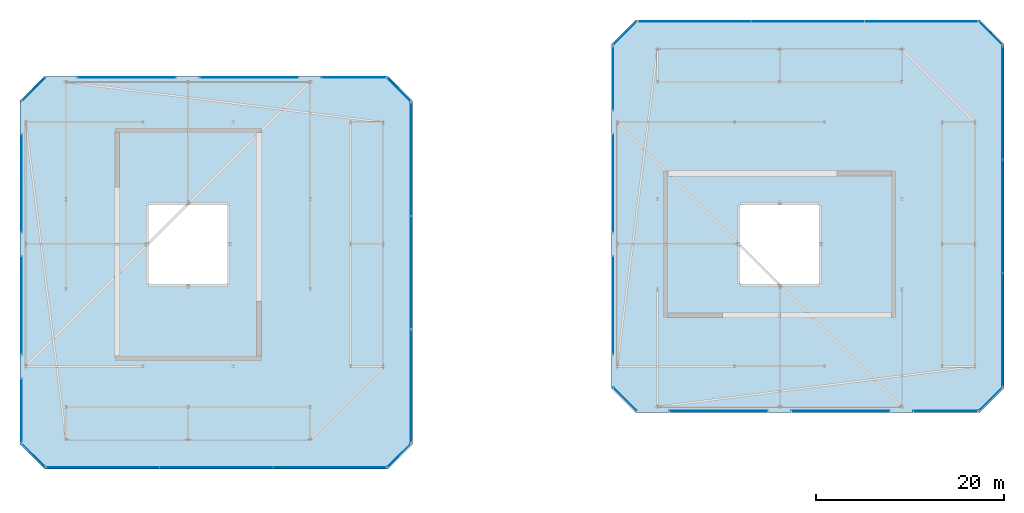
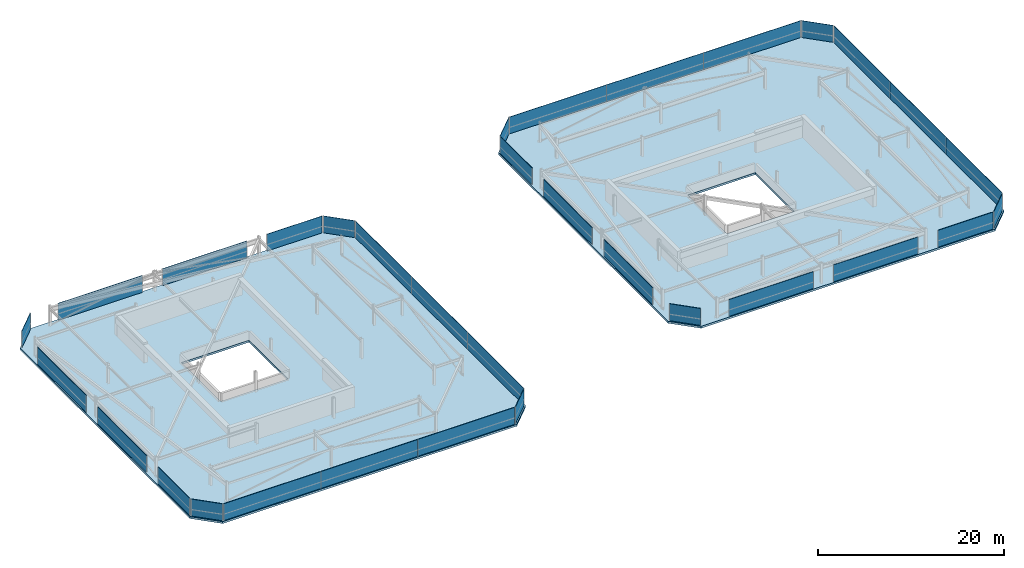
# One storey, part 39 of 44: 32 plates, 2 slabs, 24 elements without a shape of their own.
"""IFC4 building model written with IfcOpenShell, lengths in metres."""

from ifc_helpers import new_model, si_unit, direction, frame, origin, origin_2d, place, context, subcontext, project, spatial, polyline, rectangle, outline, extrude, material, layer, layer_set, type_object, element, aggregate, save


model = new_model("IFC4")

# Units and contexts
model_context = context("Model", 3, precision=1e-05, world=origin(), true_north=direction((0.0, 1.0)))
body_context = subcontext(model_context, "Body", "Model", "MODEL_VIEW")
ifc_project = project(units=[si_unit("LENGTHUNIT", "METRE"), si_unit("AREAUNIT", "SQUARE_METRE"), si_unit("VOLUMEUNIT", "CUBIC_METRE"), si_unit("PLANEANGLEUNIT", "RADIAN"), si_unit("MASSUNIT", "GRAM", prefix="KILO")], contexts=[model_context])

# Site, building, storey
site_placement = place(None, origin())
site = spatial("IfcSite", under=ifc_project, at=site_placement, CompositionType="ELEMENT")
building_placement = place(site_placement, origin())
building = spatial("IfcBuilding", under=site, at=building_placement, Name="Thornwick Lancets Civic Towers", CompositionType="ELEMENT")
storey_placement = place(building_placement, frame((0.0, 0.0, 294.89990234375)))
storey = spatial("IfcBuildingStorey", under=building, at=storey_placement, Name="C06", CompositionType="ELEMENT", Elevation=294.89990234375)

# Curtain wall, plates
ifc_material_1 = material(Name="Crown ring acoustic-louvre and glazing screen wall", Category="glass")
curtain_wall_type = type_object("IfcCurtainWallType", Name="CW_SYS_07", PredefinedType="NOTDEFINED", material=ifc_material_1)
curtain_wall_1_placement = place(storey_placement, origin())
curtain_wall_1 = element("IfcCurtainWall", 1, at=curtain_wall_1_placement, inside=storey, type_object=curtain_wall_type, Name="C06 Curtain Wall CW-C06-A-E0", PredefinedType="NOTDEFINED")
ifc_material_2 = material(Name="Terracotta acoustic louvre screen", Category="masonry")
ifc_layer_1 = layer(ifc_material_2, 0.050048828125, Name="Terracotta acoustic louvre screen")
ifc_layer_set_1 = layer_set([ifc_layer_1], Name="Terracotta acoustic louvre screen")
plate_type = type_object("IfcPlateType", Name="CW_PNL_LOUVRE", PredefinedType="SHEET", material=ifc_layer_set_1)
plate_1_placement = place(storey_placement, frame((16.432373046875, 3.2353515625, 0.0), z_axis=(0.0, 0.0, 1.0), x_axis=(1.0, 0.0, 0.0)))
plate_1 = element("IfcPlate", 2, at=plate_1_placement, type_object=plate_type, Name="CW-C06-A-E0 Panel 0", PredefinedType="SHEET", context=body_context, shape_type="SweptSolid", body=[
    extrude(rectangle(XDim=12.063720703125, YDim=0.050048828125, at=origin_2d()), origin(), (0.0, 0.0, 1.0), 2.219970703125),
])
plate_2_placement = place(storey_placement, frame((28.5, 3.2353515625, 0.0), z_axis=(0.0, 0.0, 1.0), x_axis=(1.0, 0.0, 0.0)))
plate_2 = element("IfcPlate", 3, at=plate_2_placement, type_object=plate_type, Name="CW-C06-A-E0 Panel 1", PredefinedType="SHEET", context=body_context, shape_type="SweptSolid", body=[
    extrude(rectangle(XDim=12.063720703125, YDim=0.050048828125, at=origin_2d()), origin(), (0.0, 0.0, 1.0), 2.219970703125),
])
plate_3_placement = place(storey_placement, frame((40.567626953125, 3.2353515625, 0.0), z_axis=(0.0, 0.0, 1.0), x_axis=(1.0, 0.0, 0.0)))
plate_3 = element("IfcPlate", 4, at=plate_3_placement, type_object=plate_type, Name="CW-C06-A-E0 Panel 2", PredefinedType="SHEET", context=body_context, shape_type="SweptSolid", body=[
    extrude(rectangle(XDim=12.063720703125, YDim=0.050048828125, at=origin_2d()), origin(), (0.0, 0.0, 1.0), 2.219970703125),
])
aggregate(curtain_wall_1, [plate_1, plate_2, plate_3])

# Curtain wall, plate
curtain_wall_2_placement = place(storey_placement, origin())
curtain_wall_2 = element("IfcCurtainWall", 5, at=curtain_wall_2_placement, inside=storey, type_object=curtain_wall_type, Name="C06 Curtain Wall CW-C06-A-E1", PredefinedType="NOTDEFINED")
plate_4_placement = place(storey_placement, frame((47.972900390625, 4.527099609375, 0.0), z_axis=(0.0, 0.0, 1.0), x_axis=(0.707106781187, 0.707106781187, 0.0)))
plate_4 = element("IfcPlate", 6, at=plate_4_placement, type_object=plate_type, Name="CW-C06-A-E1 Panel 0", PredefinedType="SHEET", context=body_context, shape_type="SweptSolid", body=[
    extrude(rectangle(XDim=3.4892578125, YDim=0.050048828125, at=origin_2d()), origin(), (0.0, 0.0, 1.0), 2.219970703125),
])
aggregate(curtain_wall_2, [plate_4])

# Curtain wall, plates
curtain_wall_3_placement = place(storey_placement, origin())
curtain_wall_3 = element("IfcCurtainWall", 7, at=curtain_wall_3_placement, inside=storey, type_object=curtain_wall_type, Name="C06 Curtain Wall CW-C06-A-E2", PredefinedType="NOTDEFINED")
plate_5_placement = place(storey_placement, frame((49.2646484375, 11.932373046875, 0.0), z_axis=(0.0, 0.0, 1.0), x_axis=(0.0, 1.0, 0.0)))
plate_5 = element("IfcPlate", 8, at=plate_5_placement, type_object=plate_type, Name="CW-C06-A-E2 Panel 0", PredefinedType="SHEET", context=body_context, shape_type="SweptSolid", body=[
    extrude(rectangle(XDim=12.063720703125, YDim=0.050048828125, at=origin_2d()), origin(), (0.0, 0.0, 1.0), 2.219970703125),
])
plate_6_placement = place(storey_placement, frame((49.2646484375, 24.0, 0.0), z_axis=(0.0, 0.0, 1.0), x_axis=(0.0, 1.0, 0.0)))
plate_6 = element("IfcPlate", 9, at=plate_6_placement, type_object=plate_type, Name="CW-C06-A-E2 Panel 1", PredefinedType="SHEET", context=body_context, shape_type="SweptSolid", body=[
    extrude(rectangle(XDim=12.063720703125, YDim=0.050048828125, at=origin_2d()), origin(), (0.0, 0.0, 1.0), 2.219970703125),
])
plate_7_placement = place(storey_placement, frame((49.2646484375, 36.067626953125, 0.0), z_axis=(0.0, 0.0, 1.0), x_axis=(0.0, 1.0, 0.0)))
plate_7 = element("IfcPlate", 10, at=plate_7_placement, type_object=plate_type, Name="CW-C06-A-E2 Panel 2", PredefinedType="SHEET", context=body_context, shape_type="SweptSolid", body=[
    extrude(rectangle(XDim=12.063720703125, YDim=0.050048828125, at=origin_2d()), origin(), (0.0, 0.0, 1.0), 2.219970703125),
])
aggregate(curtain_wall_3, [plate_5, plate_6, plate_7])

# Curtain wall, plate
curtain_wall_4_placement = place(storey_placement, origin())
curtain_wall_4 = element("IfcCurtainWall", 11, at=curtain_wall_4_placement, inside=storey, type_object=curtain_wall_type, Name="C06 Curtain Wall CW-C06-A-E3", PredefinedType="NOTDEFINED")
plate_8_placement = place(storey_placement, frame((47.972900390625, 43.472900390625, 0.0), z_axis=(0.0, 0.0, 1.0), x_axis=(-0.707106781187, 0.707106781187, 0.0)))
plate_8 = element("IfcPlate", 12, at=plate_8_placement, type_object=plate_type, Name="CW-C06-A-E3 Panel 0", PredefinedType="SHEET", context=body_context, shape_type="SweptSolid", body=[
    extrude(rectangle(XDim=3.4892578125, YDim=0.050048828125, at=origin_2d()), origin(), (0.0, 0.0, 1.0), 2.219970703125),
])
aggregate(curtain_wall_4, [plate_8])

curtain_wall_5_placement = place(storey_placement, origin())
curtain_wall_5 = element("IfcCurtainWall", 13, at=curtain_wall_5_placement, inside=storey, type_object=curtain_wall_type, Name="C06 Curtain Wall CW-C06-A-E4-S1", PredefinedType="NOTDEFINED")
plate_9_placement = place(storey_placement, frame((43.17578125, 44.7646484375, 0.0), z_axis=(0.0, 0.0, 1.0), x_axis=(-1.0, 0.0, 0.0)))
plate_9 = element("IfcPlate", 14, at=plate_9_placement, type_object=plate_type, Name="CW-C06-A-E4-S1 Panel 0", PredefinedType="SHEET", context=body_context, shape_type="SweptSolid", body=[
    extrude(rectangle(XDim=6.847412109375, YDim=0.050048828125, at=origin_2d()), origin(), (0.0, 0.0, 1.0), 2.219970703125),
])
aggregate(curtain_wall_5, [plate_9])

curtain_wall_6_placement = place(storey_placement, origin())
curtain_wall_6 = element("IfcCurtainWall", 15, at=curtain_wall_6_placement, inside=storey, type_object=curtain_wall_type, Name="C06 Curtain Wall CW-C06-A-E4-S2", PredefinedType="NOTDEFINED")
plate_10_placement = place(storey_placement, frame((32.0, 44.7646484375, 0.0), z_axis=(0.0, 0.0, 1.0), x_axis=(-1.0, 0.0, 0.0)))
plate_10 = element("IfcPlate", 16, at=plate_10_placement, type_object=plate_type, Name="CW-C06-A-E4-S2 Panel 0", PredefinedType="SHEET", context=body_context, shape_type="SweptSolid", body=[
    extrude(rectangle(XDim=10.49609375, YDim=0.050048828125, at=origin_2d()), origin(), (0.0, 0.0, 1.0), 2.219970703125),
])
aggregate(curtain_wall_6, [plate_10])

curtain_wall_7_placement = place(storey_placement, origin())
curtain_wall_7 = element("IfcCurtainWall", 17, at=curtain_wall_7_placement, inside=storey, type_object=curtain_wall_type, Name="C06 Curtain Wall CW-C06-A-E4-S3", PredefinedType="NOTDEFINED")
plate_11_placement = place(storey_placement, frame((19.0, 44.7646484375, 0.0), z_axis=(0.0, 0.0, 1.0), x_axis=(-1.0, 0.0, 0.0)))
plate_11 = element("IfcPlate", 18, at=plate_11_placement, type_object=plate_type, Name="CW-C06-A-E4-S3 Panel 0", PredefinedType="SHEET", context=body_context, shape_type="SweptSolid", body=[
    extrude(rectangle(XDim=10.49609375, YDim=0.050048828125, at=origin_2d()), origin(), (0.0, 0.0, 1.0), 2.219970703125),
])
aggregate(curtain_wall_7, [plate_11])

curtain_wall_8_placement = place(storey_placement, origin())
curtain_wall_8 = element("IfcCurtainWall", 19, at=curtain_wall_8_placement, inside=storey, type_object=curtain_wall_type, Name="C06 Curtain Wall CW-C06-A-E5", PredefinedType="NOTDEFINED")
plate_12_placement = place(storey_placement, frame((9.027099609375, 43.472900390625, 0.0), z_axis=(0.0, 0.0, 1.0), x_axis=(-0.707106781187, -0.707106781187, 0.0)))
plate_12 = element("IfcPlate", 20, at=plate_12_placement, type_object=plate_type, Name="CW-C06-A-E5 Panel 0", PredefinedType="SHEET", context=body_context, shape_type="SweptSolid", body=[
    extrude(rectangle(XDim=3.4892578125, YDim=0.050048828125, at=origin_2d()), origin(), (0.0, 0.0, 1.0), 2.219970703125),
])
aggregate(curtain_wall_8, [plate_12])

curtain_wall_9_placement = place(storey_placement, origin())
curtain_wall_9 = element("IfcCurtainWall", 21, at=curtain_wall_9_placement, inside=storey, type_object=curtain_wall_type, Name="C06 Curtain Wall CW-C06-A-E6-S1", PredefinedType="NOTDEFINED")
plate_13_placement = place(storey_placement, frame((7.7353515625, 33.5, 0.0), z_axis=(0.0, 0.0, 1.0), x_axis=(0.0, -1.0, 0.0)))
plate_13 = element("IfcPlate", 22, at=plate_13_placement, type_object=plate_type, Name="CW-C06-A-E6-S1 Panel 0", PredefinedType="SHEET", context=body_context, shape_type="SweptSolid", body=[
    extrude(rectangle(XDim=10.49609375, YDim=0.050048828125, at=origin_2d()), origin(), (0.0, 0.0, 1.0), 2.219970703125),
])
aggregate(curtain_wall_9, [plate_13])

curtain_wall_10_placement = place(storey_placement, origin())
curtain_wall_10 = element("IfcCurtainWall", 23, at=curtain_wall_10_placement, inside=storey, type_object=curtain_wall_type, Name="C06 Curtain Wall CW-C06-A-E6-S2", PredefinedType="NOTDEFINED")
plate_14_placement = place(storey_placement, frame((7.7353515625, 20.5, 0.0), z_axis=(0.0, 0.0, 1.0), x_axis=(0.0, -1.0, 0.0)))
plate_14 = element("IfcPlate", 24, at=plate_14_placement, type_object=plate_type, Name="CW-C06-A-E6-S2 Panel 0", PredefinedType="SHEET", context=body_context, shape_type="SweptSolid", body=[
    extrude(rectangle(XDim=10.49609375, YDim=0.050048828125, at=origin_2d()), origin(), (0.0, 0.0, 1.0), 2.219970703125),
])
aggregate(curtain_wall_10, [plate_14])

curtain_wall_11_placement = place(storey_placement, origin())
curtain_wall_11 = element("IfcCurtainWall", 25, at=curtain_wall_11_placement, inside=storey, type_object=curtain_wall_type, Name="C06 Curtain Wall CW-C06-A-E6-S3", PredefinedType="NOTDEFINED")
plate_15_placement = place(storey_placement, frame((7.7353515625, 9.32421875, 0.0), z_axis=(0.0, 0.0, 1.0), x_axis=(0.0, -1.0, 0.0)))
plate_15 = element("IfcPlate", 26, at=plate_15_placement, type_object=plate_type, Name="CW-C06-A-E6-S3 Panel 0", PredefinedType="SHEET", context=body_context, shape_type="SweptSolid", body=[
    extrude(rectangle(XDim=6.847412109375, YDim=0.050048828125, at=origin_2d()), origin(), (0.0, 0.0, 1.0), 2.219970703125),
])
aggregate(curtain_wall_11, [plate_15])

curtain_wall_12_placement = place(storey_placement, origin())
curtain_wall_12 = element("IfcCurtainWall", 27, at=curtain_wall_12_placement, inside=storey, type_object=curtain_wall_type, Name="C06 Curtain Wall CW-C06-A-E7", PredefinedType="NOTDEFINED")
plate_16_placement = place(storey_placement, frame((9.027099609375, 4.527099609375, 0.0), z_axis=(0.0, 0.0, 1.0), x_axis=(0.707106781187, -0.707106781187, 0.0)))
plate_16 = element("IfcPlate", 28, at=plate_16_placement, type_object=plate_type, Name="CW-C06-A-E7 Panel 0", PredefinedType="SHEET", context=body_context, shape_type="SweptSolid", body=[
    extrude(rectangle(XDim=3.4892578125, YDim=0.050048828125, at=origin_2d()), origin(), (0.0, 0.0, 1.0), 2.219970703125),
])
aggregate(curtain_wall_12, [plate_16])

curtain_wall_13_placement = place(storey_placement, origin())
curtain_wall_13 = element("IfcCurtainWall", 29, at=curtain_wall_13_placement, inside=storey, type_object=curtain_wall_type, Name="C06 Curtain Wall CW-C06-B-E0-S1", PredefinedType="NOTDEFINED")
plate_17_placement = place(storey_placement, frame((82.0, 9.2353515625, 0.0), z_axis=(0.0, 0.0, 1.0), x_axis=(1.0, 0.0, 0.0)))
plate_17 = element("IfcPlate", 30, at=plate_17_placement, type_object=plate_type, Name="CW-C06-B-E0-S1 Panel 0", PredefinedType="SHEET", context=body_context, shape_type="SweptSolid", body=[
    extrude(rectangle(XDim=10.49609375, YDim=0.050048828125, at=origin_2d()), origin(), (0.0, 0.0, 1.0), 2.219970703125),
])
aggregate(curtain_wall_13, [plate_17])

curtain_wall_14_placement = place(storey_placement, origin())
curtain_wall_14 = element("IfcCurtainWall", 31, at=curtain_wall_14_placement, inside=storey, type_object=curtain_wall_type, Name="C06 Curtain Wall CW-C06-B-E0-S2", PredefinedType="NOTDEFINED")
plate_18_placement = place(storey_placement, frame((95.0, 9.2353515625, 0.0), z_axis=(0.0, 0.0, 1.0), x_axis=(1.0, 0.0, 0.0)))
plate_18 = element("IfcPlate", 32, at=plate_18_placement, type_object=plate_type, Name="CW-C06-B-E0-S2 Panel 0", PredefinedType="SHEET", context=body_context, shape_type="SweptSolid", body=[
    extrude(rectangle(XDim=10.49609375, YDim=0.050048828125, at=origin_2d()), origin(), (0.0, 0.0, 1.0), 2.219970703125),
])
aggregate(curtain_wall_14, [plate_18])

curtain_wall_15_placement = place(storey_placement, origin())
curtain_wall_15 = element("IfcCurtainWall", 33, at=curtain_wall_15_placement, inside=storey, type_object=curtain_wall_type, Name="C06 Curtain Wall CW-C06-B-E0-S3", PredefinedType="NOTDEFINED")
plate_19_placement = place(storey_placement, frame((106.17578125, 9.2353515625, 0.0), z_axis=(0.0, 0.0, 1.0), x_axis=(1.0, 0.0, 0.0)))
plate_19 = element("IfcPlate", 34, at=plate_19_placement, type_object=plate_type, Name="CW-C06-B-E0-S3 Panel 0", PredefinedType="SHEET", context=body_context, shape_type="SweptSolid", body=[
    extrude(rectangle(XDim=6.847412109375, YDim=0.050048828125, at=origin_2d()), origin(), (0.0, 0.0, 1.0), 2.219970703125),
])
aggregate(curtain_wall_15, [plate_19])

curtain_wall_16_placement = place(storey_placement, origin())
curtain_wall_16 = element("IfcCurtainWall", 35, at=curtain_wall_16_placement, inside=storey, type_object=curtain_wall_type, Name="C06 Curtain Wall CW-C06-B-E1", PredefinedType="NOTDEFINED")
plate_20_placement = place(storey_placement, frame((110.972900390625, 10.527099609375, 0.0), z_axis=(0.0, 0.0, 1.0), x_axis=(0.707106781187, 0.707106781187, 0.0)))
plate_20 = element("IfcPlate", 36, at=plate_20_placement, type_object=plate_type, Name="CW-C06-B-E1 Panel 0", PredefinedType="SHEET", context=body_context, shape_type="SweptSolid", body=[
    extrude(rectangle(XDim=3.4892578125, YDim=0.050048828125, at=origin_2d()), origin(), (0.0, 0.0, 1.0), 2.219970703125),
])
aggregate(curtain_wall_16, [plate_20])

# Curtain wall, plates
curtain_wall_17_placement = place(storey_placement, origin())
curtain_wall_17 = element("IfcCurtainWall", 37, at=curtain_wall_17_placement, inside=storey, type_object=curtain_wall_type, Name="C06 Curtain Wall CW-C06-B-E2", PredefinedType="NOTDEFINED")
plate_21_placement = place(storey_placement, frame((112.2646484375, 17.932373046875, 0.0), z_axis=(0.0, 0.0, 1.0), x_axis=(0.0, 1.0, 0.0)))
plate_21 = element("IfcPlate", 38, at=plate_21_placement, type_object=plate_type, Name="CW-C06-B-E2 Panel 0", PredefinedType="SHEET", context=body_context, shape_type="SweptSolid", body=[
    extrude(rectangle(XDim=12.063720703125, YDim=0.050048828125, at=origin_2d()), origin(), (0.0, 0.0, 1.0), 2.219970703125),
])
plate_22_placement = place(storey_placement, frame((112.2646484375, 30.0, 0.0), z_axis=(0.0, 0.0, 1.0), x_axis=(0.0, 1.0, 0.0)))
plate_22 = element("IfcPlate", 39, at=plate_22_placement, type_object=plate_type, Name="CW-C06-B-E2 Panel 1", PredefinedType="SHEET", context=body_context, shape_type="SweptSolid", body=[
    extrude(rectangle(XDim=12.063720703125, YDim=0.050048828125, at=origin_2d()), origin(), (0.0, 0.0, 1.0), 2.219970703125),
])
plate_23_placement = place(storey_placement, frame((112.2646484375, 42.067626953125, 0.0), z_axis=(0.0, 0.0, 1.0), x_axis=(0.0, 1.0, 0.0)))
plate_23 = element("IfcPlate", 40, at=plate_23_placement, type_object=plate_type, Name="CW-C06-B-E2 Panel 2", PredefinedType="SHEET", context=body_context, shape_type="SweptSolid", body=[
    extrude(rectangle(XDim=12.063720703125, YDim=0.050048828125, at=origin_2d()), origin(), (0.0, 0.0, 1.0), 2.219970703125),
])
aggregate(curtain_wall_17, [plate_21, plate_22, plate_23])

# Curtain wall, plate
curtain_wall_18_placement = place(storey_placement, origin())
curtain_wall_18 = element("IfcCurtainWall", 41, at=curtain_wall_18_placement, inside=storey, type_object=curtain_wall_type, Name="C06 Curtain Wall CW-C06-B-E3", PredefinedType="NOTDEFINED")
plate_24_placement = place(storey_placement, frame((110.972900390625, 49.472900390625, 0.0), z_axis=(0.0, 0.0, 1.0), x_axis=(-0.707106781187, 0.707106781187, 0.0)))
plate_24 = element("IfcPlate", 42, at=plate_24_placement, type_object=plate_type, Name="CW-C06-B-E3 Panel 0", PredefinedType="SHEET", context=body_context, shape_type="SweptSolid", body=[
    extrude(rectangle(XDim=3.4892578125, YDim=0.050048828125, at=origin_2d()), origin(), (0.0, 0.0, 1.0), 2.219970703125),
])
aggregate(curtain_wall_18, [plate_24])

# Curtain wall, plates
curtain_wall_19_placement = place(storey_placement, origin())
curtain_wall_19 = element("IfcCurtainWall", 43, at=curtain_wall_19_placement, inside=storey, type_object=curtain_wall_type, Name="C06 Curtain Wall CW-C06-B-E4", PredefinedType="NOTDEFINED")
plate_25_placement = place(storey_placement, frame((103.567626953125, 50.7646484375, 0.0), z_axis=(0.0, 0.0, 1.0), x_axis=(-1.0, 0.0, 0.0)))
plate_25 = element("IfcPlate", 44, at=plate_25_placement, type_object=plate_type, Name="CW-C06-B-E4 Panel 0", PredefinedType="SHEET", context=body_context, shape_type="SweptSolid", body=[
    extrude(rectangle(XDim=12.063720703125, YDim=0.050048828125, at=origin_2d()), origin(), (0.0, 0.0, 1.0), 2.219970703125),
])
plate_26_placement = place(storey_placement, frame((91.5, 50.7646484375, 0.0), z_axis=(0.0, 0.0, 1.0), x_axis=(-1.0, 0.0, 0.0)))
plate_26 = element("IfcPlate", 45, at=plate_26_placement, type_object=plate_type, Name="CW-C06-B-E4 Panel 1", PredefinedType="SHEET", context=body_context, shape_type="SweptSolid", body=[
    extrude(rectangle(XDim=12.063720703125, YDim=0.050048828125, at=origin_2d()), origin(), (0.0, 0.0, 1.0), 2.219970703125),
])
plate_27_placement = place(storey_placement, frame((79.432373046875, 50.7646484375, 0.0), z_axis=(0.0, 0.0, 1.0), x_axis=(-1.0, 0.0, 0.0)))
plate_27 = element("IfcPlate", 46, at=plate_27_placement, type_object=plate_type, Name="CW-C06-B-E4 Panel 2", PredefinedType="SHEET", context=body_context, shape_type="SweptSolid", body=[
    extrude(rectangle(XDim=12.063720703125, YDim=0.050048828125, at=origin_2d()), origin(), (0.0, 0.0, 1.0), 2.219970703125),
])
aggregate(curtain_wall_19, [plate_25, plate_26, plate_27])

# Curtain wall, plate
curtain_wall_20_placement = place(storey_placement, origin())
curtain_wall_20 = element("IfcCurtainWall", 47, at=curtain_wall_20_placement, inside=storey, type_object=curtain_wall_type, Name="C06 Curtain Wall CW-C06-B-E5", PredefinedType="NOTDEFINED")
plate_28_placement = place(storey_placement, frame((72.027099609375, 49.472900390625, 0.0), z_axis=(0.0, 0.0, 1.0), x_axis=(-0.707106781187, -0.707106781187, 0.0)))
plate_28 = element("IfcPlate", 48, at=plate_28_placement, type_object=plate_type, Name="CW-C06-B-E5 Panel 0", PredefinedType="SHEET", context=body_context, shape_type="SweptSolid", body=[
    extrude(rectangle(XDim=3.4892578125, YDim=0.050048828125, at=origin_2d()), origin(), (0.0, 0.0, 1.0), 2.219970703125),
])
aggregate(curtain_wall_20, [plate_28])

curtain_wall_21_placement = place(storey_placement, origin())
curtain_wall_21 = element("IfcCurtainWall", 49, at=curtain_wall_21_placement, inside=storey, type_object=curtain_wall_type, Name="C06 Curtain Wall CW-C06-B-E6-S1", PredefinedType="NOTDEFINED")
plate_29_placement = place(storey_placement, frame((70.7353515625, 44.67578125, 0.0), z_axis=(0.0, 0.0, 1.0), x_axis=(0.0, -1.0, 0.0)))
plate_29 = element("IfcPlate", 50, at=plate_29_placement, type_object=plate_type, Name="CW-C06-B-E6-S1 Panel 0", PredefinedType="SHEET", context=body_context, shape_type="SweptSolid", body=[
    extrude(rectangle(XDim=6.847412109375, YDim=0.050048828125, at=origin_2d()), origin(), (0.0, 0.0, 1.0), 2.219970703125),
])
aggregate(curtain_wall_21, [plate_29])

curtain_wall_22_placement = place(storey_placement, origin())
curtain_wall_22 = element("IfcCurtainWall", 51, at=curtain_wall_22_placement, inside=storey, type_object=curtain_wall_type, Name="C06 Curtain Wall CW-C06-B-E6-S2", PredefinedType="NOTDEFINED")
plate_30_placement = place(storey_placement, frame((70.7353515625, 33.5, 0.0), z_axis=(0.0, 0.0, 1.0), x_axis=(0.0, -1.0, 0.0)))
plate_30 = element("IfcPlate", 52, at=plate_30_placement, type_object=plate_type, Name="CW-C06-B-E6-S2 Panel 0", PredefinedType="SHEET", context=body_context, shape_type="SweptSolid", body=[
    extrude(rectangle(XDim=10.49609375, YDim=0.050048828125, at=origin_2d()), origin(), (0.0, 0.0, 1.0), 2.219970703125),
])
aggregate(curtain_wall_22, [plate_30])

curtain_wall_23_placement = place(storey_placement, origin())
curtain_wall_23 = element("IfcCurtainWall", 53, at=curtain_wall_23_placement, inside=storey, type_object=curtain_wall_type, Name="C06 Curtain Wall CW-C06-B-E6-S3", PredefinedType="NOTDEFINED")
plate_31_placement = place(storey_placement, frame((70.7353515625, 20.5, 0.0), z_axis=(0.0, 0.0, 1.0), x_axis=(0.0, -1.0, 0.0)))
plate_31 = element("IfcPlate", 54, at=plate_31_placement, type_object=plate_type, Name="CW-C06-B-E6-S3 Panel 0", PredefinedType="SHEET", context=body_context, shape_type="SweptSolid", body=[
    extrude(rectangle(XDim=10.49609375, YDim=0.050048828125, at=origin_2d()), origin(), (0.0, 0.0, 1.0), 2.219970703125),
])
aggregate(curtain_wall_23, [plate_31])

curtain_wall_24_placement = place(storey_placement, origin())
curtain_wall_24 = element("IfcCurtainWall", 55, at=curtain_wall_24_placement, inside=storey, type_object=curtain_wall_type, Name="C06 Curtain Wall CW-C06-B-E7", PredefinedType="NOTDEFINED")
plate_32_placement = place(storey_placement, frame((72.027099609375, 10.527099609375, 0.0), z_axis=(0.0, 0.0, 1.0), x_axis=(0.707106781187, -0.707106781187, 0.0)))
plate_32 = element("IfcPlate", 56, at=plate_32_placement, type_object=plate_type, Name="CW-C06-B-E7 Panel 0", PredefinedType="SHEET", context=body_context, shape_type="SweptSolid", body=[
    extrude(rectangle(XDim=3.4892578125, YDim=0.050048828125, at=origin_2d()), origin(), (0.0, 0.0, 1.0), 2.219970703125),
])
aggregate(curtain_wall_24, [plate_32])

# Slabs
ifc_material_3 = material(Name="Concrete C40/50", Category="concrete")
ifc_layer_2 = layer(ifc_material_3, 0.260009765625, Name="Concrete C40/50")
ifc_layer_set_2 = layer_set([ifc_layer_2], Name="Concrete C40/50")
slab_type = type_object("IfcSlabType", Name="SLAB_ROOF_260", PredefinedType="ROOF", material=ifc_layer_set_2)
slab_1_placement = place(storey_placement, frame((0.0, 0.0, -0.260009765625)))
element("IfcSlab", 57, at=slab_1_placement, inside=storey, type_object=slab_type, Name="C06 Tower A Crown Structural Ring Deck", PredefinedType="ROOF", context=body_context, shape_type="SweptSolid", body=[
    extrude(outline(polyline([(10.199951171875, 3.10009765625), (46.800048828125, 3.10009765625), (49.39990234375, 5.699951171875), (49.39990234375, 42.300048828125), (46.800048828125, 44.89990234375), (10.199951171875, 44.89990234375), (7.60009765625, 42.300048828125), (7.60009765625, 5.699951171875), (10.199951171875, 3.10009765625)]), holes=[polyline([(21.300048828125, 22.800048828125), (29.699951171875, 22.800048828125), (29.699951171875, 31.199951171875), (21.300048828125, 31.199951171875), (21.300048828125, 22.800048828125)])]), origin(), (0.0, 0.0, 1.0), 0.260009765625),
])
slab_2_placement = place(storey_placement, frame((0.0, 0.0, -0.260009765625)))
element("IfcSlab", 58, at=slab_2_placement, inside=storey, type_object=slab_type, Name="C06 Tower B Crown Structural Ring Deck", PredefinedType="ROOF", context=body_context, shape_type="SweptSolid", body=[
    extrude(outline(polyline([(73.199951171875, 9.10009765625), (109.800048828125, 9.10009765625), (112.39990234375, 11.699951171875), (112.39990234375, 48.300048828125), (109.800048828125, 50.89990234375), (73.199951171875, 50.89990234375), (70.60009765625, 48.300048828125), (70.60009765625, 11.699951171875), (73.199951171875, 9.10009765625)]), holes=[polyline([(84.300048828125, 22.800048828125), (92.699951171875, 22.800048828125), (92.699951171875, 31.199951171875), (84.300048828125, 31.199951171875), (84.300048828125, 22.800048828125)])]), origin(), (0.0, 0.0, 1.0), 0.260009765625),
])

save(model, "model.ifc")
